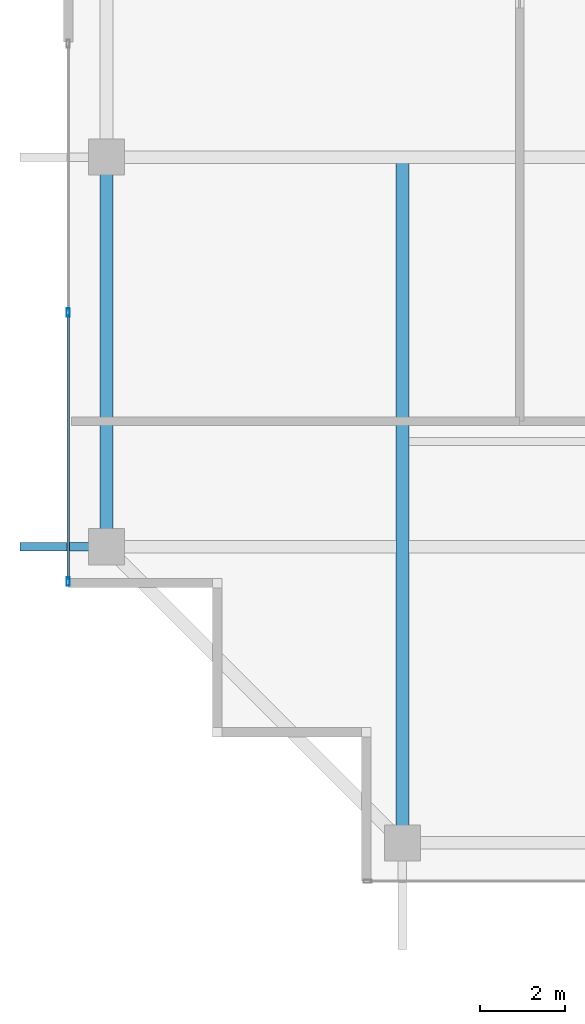
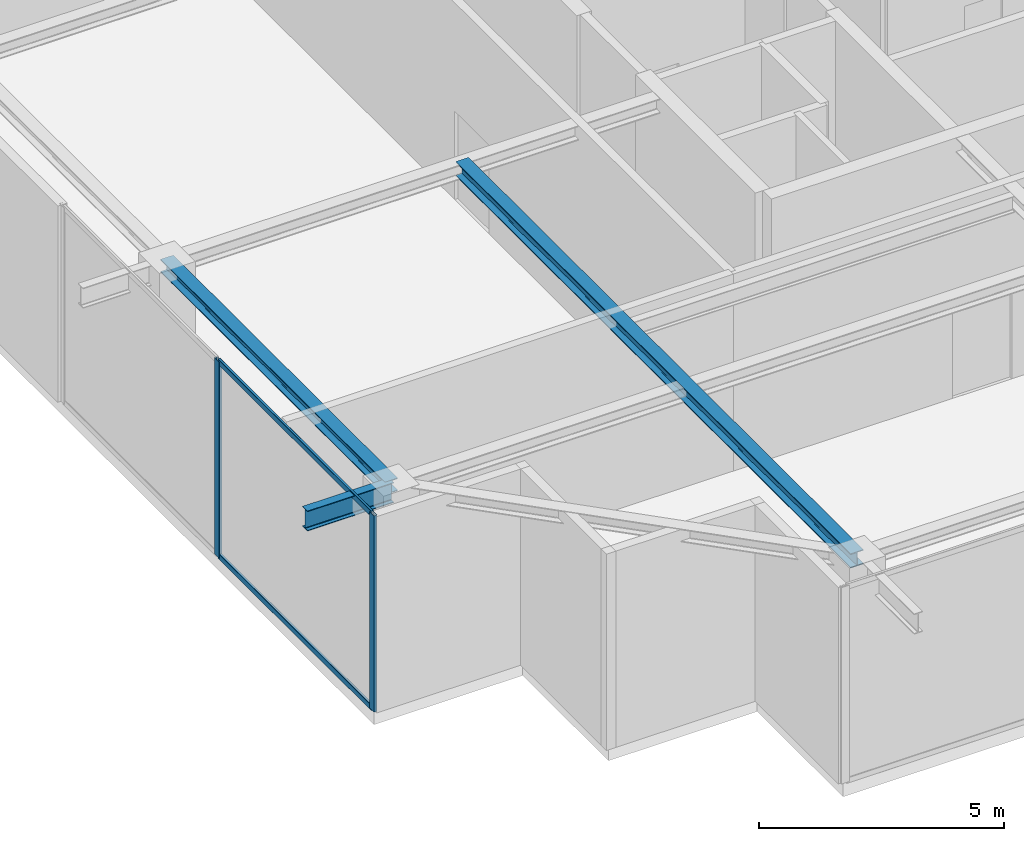
# One storey, part 4 of 27: 4 members, 3 beams, 1 element without a shape of its own.
"""IFC4 building model written with IfcOpenShell, lengths in metres."""

from ifc_helpers import new_model, si_unit, direction, frame, origin, origin_2d, place, context, subcontext, project, spatial, hollow_rectangle, i_section, extrude, source, transform, mapped, material, layer, layer_set, material_profile, profile_set, type_object, element, aggregate, save


model = new_model("IFC4")

# Units and contexts
model_context = context("Model", 3, precision=1e-05, world=origin(), true_north=direction((0.0, 1.0)))
body_context = subcontext(model_context, "Body", "Model", "MODEL_VIEW")
ifc_project = project(units=[si_unit("LENGTHUNIT", "METRE"), si_unit("AREAUNIT", "SQUARE_METRE"), si_unit("VOLUMEUNIT", "CUBIC_METRE"), si_unit("PLANEANGLEUNIT", "RADIAN"), si_unit("MASSUNIT", "GRAM", prefix="KILO")], contexts=[model_context])

# Site, building, storey
site_placement = place(None, origin())
site = spatial("IfcSite", under=ifc_project, at=site_placement, CompositionType="ELEMENT")
building_placement = place(site_placement, origin())
building = spatial("IfcBuilding", under=site, at=building_placement, Name="Serunith Strait Residences", CompositionType="ELEMENT")
storey_placement = place(building_placement, frame((0.0, 0.0, 365.75)))
storey = spatial("IfcBuildingStorey", under=building, at=storey_placement, Name="L89", CompositionType="ELEMENT", Elevation=365.75)

# Beams
ifc_material_1 = material(Name="Steel S355J2", Category="steel")
ifc_material_profile_1 = material_profile(ifc_material_1, i_section(OverallWidth=0.300048828125, OverallDepth=0.360107421875, WebThickness=0.012451171875, FlangeThickness=0.0224609375, FilletRadius=0.027099609375, at=origin_2d()), Name="HEB 360")
ifc_profile_set_1 = profile_set([ifc_material_profile_1], Name="Steel S355J2")
beam_type_1 = type_object("IfcBeamType", Name="BM-HEB360", PredefinedType="BEAM", material=ifc_profile_set_1)
shared_shape_1 = source(origin(), body_context, "Body", "SweptSolid", [
    extrude(i_section(OverallWidth=0.300048828125, OverallDepth=0.360107421875, WebThickness=0.012451171875, FlangeThickness=0.0224609375, FilletRadius=0.027099609375, at=origin_2d()), origin(), (0.0, 0.0, 1.0), 16.10009765625),
])
beam_1_placement = place(storey_placement, frame((18.64990234375, 21.0, 4.717041015625), z_axis=(0.0, -1.0, 0.0), x_axis=(1.0, 0.0, 0.0)))
element("IfcBeam", 1, at=beam_1_placement, inside=storey, type_object=beam_type_1, Name="L89 Orthogonal Corner Girder TC-S1", PredefinedType="BEAM", context=body_context, shape_type="MappedRepresentation", body=[
    mapped(shared_shape_1, transform((0.0, 0.0, 0.0), scale=1.0)),
])
ifc_material_profile_2 = material_profile(ifc_material_1, i_section(OverallWidth=0.300048828125, OverallDepth=0.320068359375, WebThickness=0.011474609375, FlangeThickness=0.0205078125, FilletRadius=0.027099609375, at=origin_2d()), Name="HEB 320")
ifc_profile_set_2 = profile_set([ifc_material_profile_2], Name="Steel S355J2")
beam_type_2 = type_object("IfcBeamType", Name="BM-HEB320", PredefinedType="BEAM", material=ifc_profile_set_2)
shared_shape_2 = source(origin(), body_context, "Body", "SweptSolid", [
    extrude(i_section(OverallWidth=0.300048828125, OverallDepth=0.320068359375, WebThickness=0.011474609375, FlangeThickness=0.0205078125, FilletRadius=0.027099609375, at=origin_2d()), origin(), (0.0, 0.0, 1.0), 9.14990234375),
])
beam_2_placement = place(storey_placement, frame((11.699951171875, 21.0, 4.737060546875), z_axis=(0.0, -1.0, 0.0), x_axis=(1.0, 0.0, 0.0)))
element("IfcBeam", 2, at=beam_2_placement, inside=storey, type_object=beam_type_2, Name="L89 Perimeter Ring Beam 15", PredefinedType="BEAM", context=body_context, shape_type="MappedRepresentation", body=[
    mapped(shared_shape_2, transform((0.0, 0.0, 0.0), scale=1.0)),
])
ifc_material_profile_3 = material_profile(ifc_material_1, i_section(OverallWidth=0.199951171875, OverallDepth=0.5, WebThickness=0.01025390625, FlangeThickness=0.01611328125, FilletRadius=0.02099609375, at=origin_2d()), Name="IPE 500")
ifc_profile_set_3 = profile_set([ifc_material_profile_3], Name="Steel S355J2")
beam_type_3 = type_object("IfcBeamType", Name="BM-IPE500", PredefinedType="JOIST", material=ifc_profile_set_3)
shared_shape_3 = source(origin(), body_context, "Body", "SweptSolid", [
    extrude(i_section(OverallWidth=0.199951171875, OverallDepth=0.5, WebThickness=0.01025390625, FlangeThickness=0.01611328125, FilletRadius=0.02099609375, at=origin_2d()), origin(), (0.0, 0.0, 1.0), 2.030029296875),
])
beam_3_placement = place(storey_placement, frame((11.699951171875, 11.85009765625, 4.64697265625), z_axis=(-1.0, 0.0, 0.0), x_axis=(0.0, -1.0, 0.0)))
element("IfcBeam", 3, at=beam_3_placement, inside=storey, type_object=beam_type_3, Name="Crown Canopy Cantilever Rafter TC-W1", PredefinedType="JOIST", context=body_context, shape_type="MappedRepresentation", body=[
    mapped(shared_shape_3, transform((0.0, 0.0, 0.0), scale=1.0)),
])

# Curtain wall, members
ifc_material_2 = material(Name="Pale-Silver Anodised Aluminium", Category="aluminium")
ifc_layer = layer(ifc_material_2, 0.199951171875, Name="Pale-Silver Anodised Aluminium")
ifc_layer_set = layer_set([ifc_layer], Name="Pale-Silver Anodised Aluminium")
curtain_wall_type = type_object("IfcCurtainWallType", Name="CW-SYS7", PredefinedType="NOTDEFINED", material=ifc_layer_set)
curtain_wall_placement = place(storey_placement, origin())
curtain_wall = element("IfcCurtainWall", 4, at=curtain_wall_placement, inside=storey, type_object=curtain_wall_type, Name="L89 W Unitised Fritted Curtain Wall", PredefinedType="NOTDEFINED")
ifc_material_profile_4 = material_profile(ifc_material_2, hollow_rectangle(XDim=0.072021484375, YDim=0.195068359375, WallThickness=0.00390625, InnerFilletRadius=0.006103515625, OuterFilletRadius=0.010009765625, at=origin_2d()), Name="ALU 195x72x4")
ifc_profile_set_4 = profile_set([ifc_material_profile_4], Name="Pale-Silver Anodised Aluminium")
member_type_1 = type_object("IfcMemberType", Name="CW-SYS7-MULL", PredefinedType="MULLION", material=ifc_profile_set_4)
shared_shape_4 = source(origin(), body_context, "Body", "SweptSolid", [
    extrude(hollow_rectangle(XDim=0.072021484375, YDim=0.195068359375, WallThickness=0.00390625, InnerFilletRadius=0.006103515625, OuterFilletRadius=0.010009765625, at=origin_2d()), origin(), (0.0, 0.0, 1.0), 4.885009765625),
])
member_1_placement = place(storey_placement, frame((10.800048828125, 17.35009765625, 0.0), z_axis=(0.0, 0.0, 1.0), x_axis=(1.0, 0.0, 0.0)))
member_1 = element("IfcMember", 5, at=member_1_placement, type_object=member_type_1, Name="CW-7 mullion 2", PredefinedType="MULLION", context=body_context, shape_type="MappedRepresentation", body=[
    mapped(shared_shape_4, transform((0.0, 0.0, 0.0), scale=1.0)),
])
member_2_placement = place(storey_placement, frame((10.800048828125, 11.035888671875, 0.0), z_axis=(0.0, 0.0, 1.0), x_axis=(1.0, 0.0, 0.0)))
member_2 = element("IfcMember", 6, at=member_2_placement, type_object=member_type_1, Name="CW-7 mullion 3", PredefinedType="MULLION", context=body_context, shape_type="MappedRepresentation", body=[
    mapped(shared_shape_4, transform((0.0, 0.0, 0.0), scale=1.0)),
])
ifc_material_profile_5 = material_profile(ifc_material_2, hollow_rectangle(XDim=0.06005859375, YDim=0.139892578125, WallThickness=0.00341796875, InnerFilletRadius=0.00537109375, OuterFilletRadius=0.0087890625, at=origin_2d()), Name="ALU 140x60x3.5")
ifc_profile_set_5 = profile_set([ifc_material_profile_5], Name="Pale-Silver Anodised Aluminium")
member_type_2 = type_object("IfcMemberType", Name="CW-SYS7-TRAN", PredefinedType="USERDEFINED", material=ifc_profile_set_5)
shared_shape_5 = source(origin(), body_context, "Body", "SweptSolid", [
    extrude(hollow_rectangle(XDim=0.06005859375, YDim=0.139892578125, WallThickness=0.00341796875, InnerFilletRadius=0.00537109375, OuterFilletRadius=0.0087890625, at=origin_2d()), origin(), (0.0, 0.0, 1.0), 6.241943359375),
])
member_3_placement = place(storey_placement, frame((10.800048828125, 17.31396484375, 0.030029296875), z_axis=(0.0, -1.0, 0.0), x_axis=(1.0, 0.0, 0.0)))
member_3 = element("IfcMember", 7, at=member_3_placement, type_object=member_type_2, Name="CW-7 transom 2.1", ObjectType="TRANSOM", PredefinedType="USERDEFINED", context=body_context, shape_type="MappedRepresentation", body=[
    mapped(shared_shape_5, transform((0.0, 0.0, 0.0), scale=1.0)),
])
member_4_placement = place(storey_placement, frame((10.800048828125, 17.31396484375, 4.85498046875), z_axis=(0.0, -1.0, 0.0), x_axis=(1.0, 0.0, 0.0)))
member_4 = element("IfcMember", 8, at=member_4_placement, type_object=member_type_2, Name="CW-7 transom 2.2", ObjectType="TRANSOM", PredefinedType="USERDEFINED", context=body_context, shape_type="MappedRepresentation", body=[
    mapped(shared_shape_5, transform((0.0, 0.0, 0.0), scale=1.0)),
])
aggregate(curtain_wall, [member_1, member_2, member_3, member_4])

save(model, "model.ifc")
